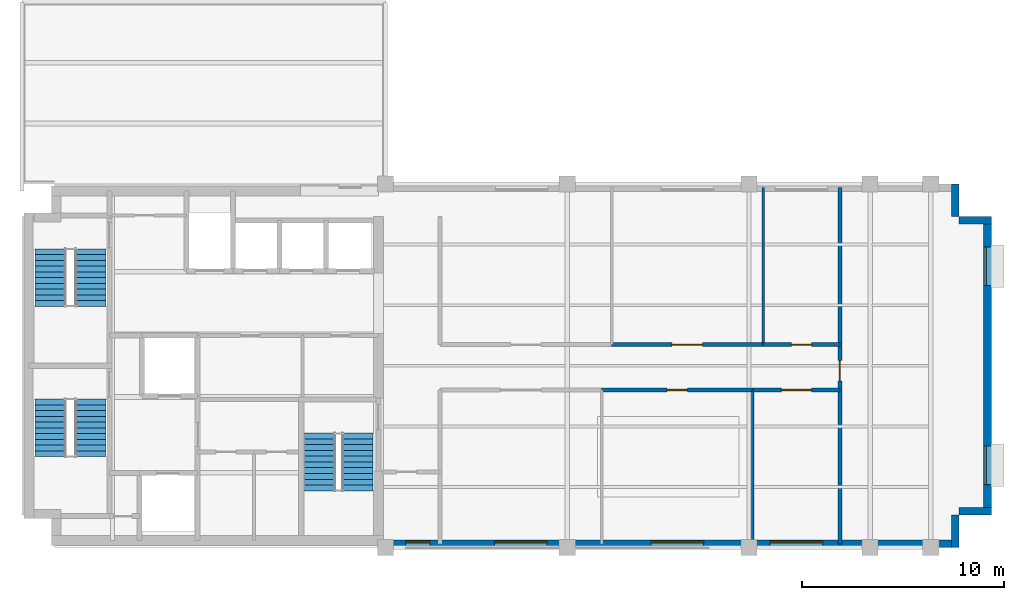
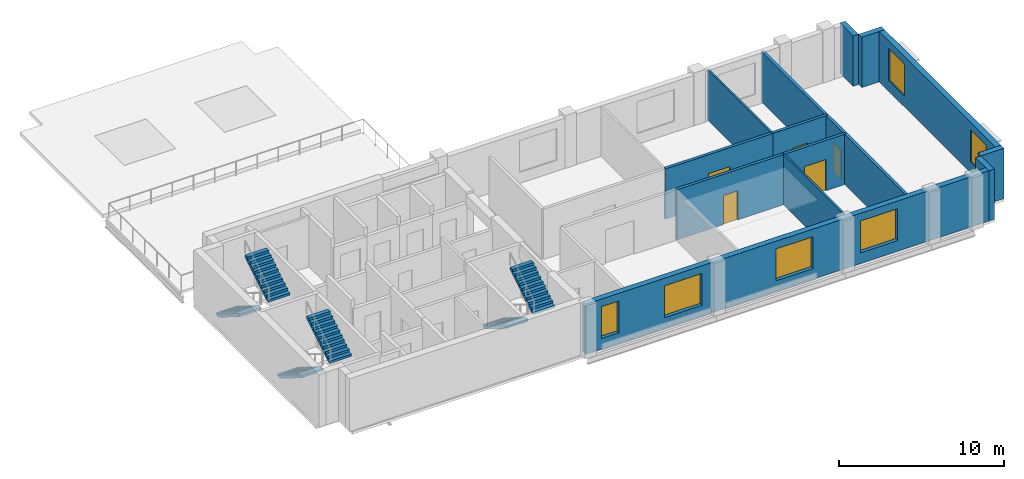
# One storey, part 4 of 5: 13 walls, 6 stair flights, 6 windows, 5 doors, 11 openings, 3 elements without a shape of their own.
"""IFC4 building model written with IfcOpenShell, lengths in metres."""

import ifcopenshell
import ifcopenshell.guid

model = None  # the IFC model being written
_history = None  # IfcOwnerHistory: only IFC2X3 demands one
_inside = {}  # id of a spatial element -> (the spatial element, [elements in it])
_under = {}  # id of a project, library or spatial element -> (it, [spatial elements below it])
_declared = {}  # id of a project -> (the project, [libraries it declares])
_typed = {}  # id of a type object -> (the type object, [elements of that type])
_made_of = {}  # id of a material, layer set ... -> (it, [elements and type objects made of it])


def new_model(schema):
    """Start an empty IFC model of exactly this schema.

    Asked for "IFC4X3", IfcOpenShell would pick the latest addendum, in which some entities
    have other attributes; the version numbers below select the first issue.
    IFC2X3 requires an IfcOwnerHistory on every rooted entity: one is made here for all.
    """
    global model, _history
    if schema == "IFC4X3":
        model = ifcopenshell.file(schema_version=(4, 3, 0, 0))
    else:
        model = ifcopenshell.file(schema=schema)
    _inside.clear()
    _under.clear()
    _declared.clear()
    _typed.clear()
    _made_of.clear()
    _history = None
    if model.schema == "IFC2X3":
        org = make("IfcOrganization", Name="unknown")
        user = make(
            "IfcPersonAndOrganization",
            ThePerson=make("IfcPerson", FamilyName="unknown"),
            TheOrganization=org,
        )
        app = make(
            "IfcApplication",
            ApplicationDeveloper=org,
            Version="unknown",
            ApplicationFullName="unknown",
            ApplicationIdentifier="unknown",
        )
        _history = make(
            "IfcOwnerHistory",
            OwningUser=user,
            OwningApplication=app,
            ChangeAction="ADDED",
            CreationDate=0,
        )
    return model


def make(cls, **values):
    """One entity of the class cls with the attributes given. An attribute that is None is left unset."""
    return model.create_entity(
        cls, **{name: value for name, value in values.items() if value is not None}
    )


def rooted(cls, **values):
    """An entity with a GlobalId (a new one), such as an element, a storey or a relation."""
    return make(cls, GlobalId=ifcopenshell.guid.new(), OwnerHistory=_history, **values)


def si_unit(unit_type, name, prefix=None):
    """IfcSIUnit, for example si_unit("LENGTHUNIT", "METRE", prefix="MILLI")."""
    return make("IfcSIUnit", UnitType=unit_type, Prefix=prefix, Name=name)


def assignment(units):
    """IfcUnitAssignment: the units of a project."""
    return None if units is None else make("IfcUnitAssignment", Units=units)


def point(xyz):
    """IfcCartesianPoint."""
    return None if xyz is None else make("IfcCartesianPoint", Coordinates=xyz)


def direction(xyz):
    """IfcDirection."""
    return None if xyz is None else make("IfcDirection", DirectionRatios=xyz)


def frame(location, z_axis=None, x_axis=None):
    """IfcAxis2Placement3D, a coordinate frame: its origin and axes. An axis left out is left unset."""
    return make(
        "IfcAxis2Placement3D",
        Location=point(location),
        Axis=direction(z_axis),
        RefDirection=direction(x_axis),
    )


def frame_2d(location, x_axis=None):
    """IfcAxis2Placement2D, a coordinate frame in the plane: its origin and x axis."""
    return make(
        "IfcAxis2Placement2D", Location=point(location), RefDirection=direction(x_axis)
    )


def origin():
    """The frame at (0, 0, 0) with its axes left unset."""
    return frame((0.0, 0.0, 0.0))


def place(relative_to, where):
    """IfcLocalPlacement: puts the frame where relative to a parent placement (None: the world)."""
    return make(
        "IfcLocalPlacement", PlacementRelTo=relative_to, RelativePlacement=where
    )


def context(
    kind, dimensions, precision=None, world=None, true_north=None, identifier=None
):
    """IfcGeometricRepresentationContext, for example the 3D "Model" context."""
    return make(
        "IfcGeometricRepresentationContext",
        ContextIdentifier=identifier,
        ContextType=kind,
        CoordinateSpaceDimension=dimensions,
        Precision=precision,
        WorldCoordinateSystem=world,
        TrueNorth=true_north,
    )


def subcontext(parent, identifier, kind, view, scale=None):
    """IfcGeometricRepresentationSubContext, for example "Body" below "Model"."""
    return make(
        "IfcGeometricRepresentationSubContext",
        ContextIdentifier=identifier,
        ContextType=kind,
        ParentContext=parent,
        TargetScale=scale,
        TargetView=view,
    )


def project(units=None, contexts=None):
    """IfcProject with its units and contexts."""
    return rooted(
        "IfcProject",
        Name="project",
        RepresentationContexts=contexts,
        UnitsInContext=assignment(units),
    )


def spatial(cls, under=None, at=None, **own):
    """A site, building, storey or space (cls), placed at a placement, below another one or the project."""
    s = rooted(cls, ObjectPlacement=at, **own)
    if under is not None:
        _under.setdefault(under.id(), (under, []))[1].append(s)
    return s


def polyline(points):
    """IfcPolyline through the points."""
    return make("IfcPolyline", Points=[point(p) for p in points])


def profile(cls, at=None, kind="AREA", **sizes):
    """A parametric profile (cls). Its sizes go by their IFC names, for example OverallWidth=200.0."""
    return make(cls, ProfileType=kind, Position=at, **sizes)


def rectangle(**sizes):
    """IfcRectangleProfileDef."""
    return profile("IfcRectangleProfileDef", **sizes)


def outline(outer, holes=None, kind="AREA"):
    """IfcArbitraryClosedProfileDef: a profile drawn as a closed curve; with holes, ...WithVoids."""
    if holes is None:
        return make("IfcArbitraryClosedProfileDef", ProfileType=kind, OuterCurve=outer)
    return make(
        "IfcArbitraryProfileDefWithVoids",
        ProfileType=kind,
        OuterCurve=outer,
        InnerCurves=holes,
    )


def extrude(swept, where, along, depth):
    """IfcExtrudedAreaSolid: the profile swept, set in the frame where, extruded along a direction by depth."""
    return make(
        "IfcExtrudedAreaSolid",
        SweptArea=swept,
        Position=where,
        ExtrudedDirection=direction(along),
        Depth=depth,
    )


def shape(context_of_items, identifier, shape_type, items):
    """IfcShapeRepresentation: the items that make up one representation, for example the "Body"."""
    return make(
        "IfcShapeRepresentation",
        ContextOfItems=context_of_items,
        RepresentationIdentifier=identifier,
        RepresentationType=shape_type,
        Items=items,
    )


def material(Name=None, Category=None):
    """IfcMaterial."""
    return make("IfcMaterial", Name=Name, Category=Category)


def layer(
    of_material, thickness, ventilated=None, Name=None, Category=None, Priority=None
):
    """IfcMaterialLayer: one layer of a wall or slab, of a material (None: an air gap)."""
    return make(
        "IfcMaterialLayer",
        Material=of_material,
        LayerThickness=thickness,
        IsVentilated=ventilated,
        Name=Name,
        Category=Category,
        Priority=Priority,
    )


def layer_set(layers, Name=None):
    """IfcMaterialLayerSet."""
    return make("IfcMaterialLayerSet", MaterialLayers=layers, LayerSetName=Name)


def made_of(thing, what):
    """Note that an element or type object is made of a material, layer set ...; save() writes the relation."""
    if what is not None:
        _made_of.setdefault(what.id(), (what, []))[1].append(thing)
    return thing


def type_object(cls, material=None, **own):
    """A type object (cls), such as IfcWallType, which elements share."""
    return made_of(rooted(cls, **own), material)


def element(
    cls,
    number,
    at=None,
    inside=None,
    cuts=None,
    type_object=None,
    material=None,
    context=None,
    identifier="Body",
    shape_type=None,
    held_by="IfcProductDefinitionShape",
    body=None,
    shapes=None,
    **own,
):
    """One element of the class cls, such as IfcWall. Its Tag is "e" and its number.

    at: its placement. inside: the storey or other place that contains it. cuts: it is an
    opening in that element (IfcRelVoidsElement). A single representation is given by context,
    identifier, shape_type and body (its items); several are given by shapes. held_by: the class
    of the entity that holds the representations. save() writes the other relations.
    """
    e = rooted(cls, Tag="e%d" % number, ObjectPlacement=at, **own)
    if body is not None:
        shapes = [shape(context, identifier, shape_type, body)]
    if shapes is not None:
        e.Representation = make(held_by, Representations=shapes)
    if inside is not None:
        _inside.setdefault(inside.id(), (inside, []))[1].append(e)
    if cuts is not None:
        rooted(
            "IfcRelVoidsElement", RelatingBuildingElement=cuts, RelatedOpeningElement=e
        )
    if type_object is not None:
        _typed.setdefault(type_object.id(), (type_object, []))[1].append(e)
    return made_of(e, material)


def fill(opening, filler):
    """IfcRelFillsElement: the door or window that sits in an opening."""
    return rooted(
        "IfcRelFillsElement",
        RelatingOpeningElement=opening,
        RelatedBuildingElement=filler,
    )


def aggregate(whole, parts):
    """IfcRelAggregates: a whole, such as a stair, and the parts it consists of."""
    return rooted("IfcRelAggregates", RelatingObject=whole, RelatedObjects=parts)


def save(model, path):
    """Write the relations noted so far, then the file.

    IfcRelAggregates (storeys below a building ...), IfcRelContainedInSpatialStructure (elements
    in a storey), IfcRelDefinesByType, IfcRelAssociatesMaterial and IfcRelDeclares: one each for
    every whole, place, type object, material and project.
    """
    for whole, parts in _under.values():
        aggregate(whole, parts)
    for where, things in _inside.values():
        rooted(
            "IfcRelContainedInSpatialStructure",
            RelatedElements=things,
            RelatingStructure=where,
        )
    for kind, things in _typed.values():
        rooted("IfcRelDefinesByType", RelatedObjects=things, RelatingType=kind)
    for what, things in _made_of.values():
        rooted("IfcRelAssociatesMaterial", RelatedObjects=things, RelatingMaterial=what)
    for by, libraries in _declared.values():
        rooted("IfcRelDeclares", RelatingContext=by, RelatedDefinitions=libraries)
    model.write(path)


model = new_model("IFC4")

# Units and contexts
model_context = context("Model", 3, precision=1e-05, world=origin(), true_north=direction((0.0, 1.0)))
body_context = subcontext(model_context, "Body", "Model", "MODEL_VIEW")
ifc_project = project(units=[si_unit("LENGTHUNIT", "METRE"), si_unit("AREAUNIT", "SQUARE_METRE"), si_unit("VOLUMEUNIT", "CUBIC_METRE"), si_unit("PLANEANGLEUNIT", "RADIAN"), si_unit("MASSUNIT", "GRAM", prefix="KILO")], contexts=[model_context])

# Site, building, storey
site_placement = place(None, origin())
site = spatial("IfcSite", under=ifc_project, at=site_placement, CompositionType="ELEMENT")
building_placement = place(site_placement, origin())
building = spatial("IfcBuilding", under=site, at=building_placement, Name="Mawjdan Bourse Tower", CompositionType="ELEMENT")
storey_placement = place(building_placement, frame((0.0, 0.0, 254.699951171875)))
storey = spatial("IfcBuildingStorey", under=building, at=storey_placement, Name="L62", CompositionType="ELEMENT", Elevation=254.699951171875)

# Wall, openings, windows
ifc_material_1 = material(Name="Brick Masonry Terracotta Red", Category="masonry")
ifc_layer_1 = layer(ifc_material_1, 0.3798828125)
ifc_layer_set_1 = layer_set([ifc_layer_1], Name="Brick Masonry Terracotta Red")
wall_type_1 = type_object("IfcWallType", Name="WL-BRK-RED-380", PredefinedType="STANDARD", material=ifc_layer_set_1)
wall_1_placement = place(storey_placement, frame((23.89990234375, 3.18994140625, 0.0), z_axis=(0.0, 0.0, 1.0), x_axis=(1.0, 0.0, 0.0)))
wall_1 = element("IfcWall", 1, at=wall_1_placement, inside=storey, type_object=wall_type_1, Name="L62 Exterior Brick Wall 1", PredefinedType="STANDARD", context=body_context, shape_type="SweptSolid", body=[
    extrude(rectangle(XDim=28.5, YDim=0.3798828125, at=frame_2d((14.25, 0.0))), origin(), (0.0, 0.0, 1.0), 3.715087890625),
])
opening_1_placement = place(wall_1_placement, frame((1.10009765625, 0.0, 0.800048828125)))
opening_1 = element("IfcOpeningElement", 2, at=opening_1_placement, cuts=wall_1, Name="Opening W-L62-03", PredefinedType="OPENING", context=body_context, shape_type="SweptSolid", body=[
    extrude(rectangle(XDim=1.199951171875, YDim=2.35009765625, at=frame_2d((0.60009765625, 1.175048828125))), frame((0.0, 0.199951171875, 0.0), z_axis=(0.0, -1.0, 0.0), x_axis=(1.0, 0.0, 0.0)), (0.0, 0.0, 1.0), 0.39990234375),
])
opening_2_placement = place(wall_1_placement, frame((5.50439453125, 0.0, 0.800048828125)))
opening_2 = element("IfcOpeningElement", 3, at=opening_2_placement, cuts=wall_1, Name="Opening W-L62-04", PredefinedType="OPENING", context=body_context, shape_type="SweptSolid", body=[
    extrude(rectangle(XDim=2.60009765625, YDim=2.35009765625, at=frame_2d((1.300048828125, 1.175048828125))), frame((0.0, 0.199951171875, 0.0), z_axis=(0.0, -1.0, 0.0), x_axis=(1.0, 0.0, 0.0)), (0.0, 0.0, 1.0), 0.39990234375),
])
opening_3_placement = place(wall_1_placement, frame((13.25439453125, 0.0, 0.800048828125)))
opening_3 = element("IfcOpeningElement", 4, at=opening_3_placement, cuts=wall_1, Name="Opening W-L62-05", PredefinedType="OPENING", context=body_context, shape_type="SweptSolid", body=[
    extrude(rectangle(XDim=2.60009765625, YDim=2.35009765625, at=frame_2d((1.300048828125, 1.175048828125))), frame((0.0, 0.199951171875, 0.0), z_axis=(0.0, -1.0, 0.0), x_axis=(1.0, 0.0, 0.0)), (0.0, 0.0, 1.0), 0.39990234375),
])
opening_4_placement = place(wall_1_placement, frame((19.154296875, 0.0, 0.800048828125)))
opening_4 = element("IfcOpeningElement", 5, at=opening_4_placement, cuts=wall_1, Name="Opening W-L62-06", PredefinedType="OPENING", context=body_context, shape_type="SweptSolid", body=[
    extrude(rectangle(XDim=2.60009765625, YDim=2.35009765625, at=frame_2d((1.300048828125, 1.175048828125))), frame((0.0, 0.199951171875, 0.0), z_axis=(0.0, -1.0, 0.0), x_axis=(1.0, 0.0, 0.0)), (0.0, 0.0, 1.0), 0.39990234375),
])
ifc_material_2 = material(Name="Solar-Control Clear Double Glazing", Category="glass")
window_type_1 = type_object("IfcWindowType", Name="WN-SMT-1200", PartitioningType="SINGLE_PANEL", PredefinedType="WINDOW", material=ifc_material_2)
window_1_placement = place(opening_1_placement, origin())
window_1 = element("IfcWindow", 6, at=window_1_placement, inside=storey, type_object=window_type_1, Name="L62 Deep-Set Masonry Window W-L62-03", OverallHeight=2.35009765625, OverallWidth=1.199951171875, PartitioningType="SINGLE_PANEL", PredefinedType="WINDOW", context=body_context, shape_type="SweptSolid", body=[
    extrude(rectangle(XDim=1.199951171875, YDim=2.35009765625, at=frame_2d((0.60009765625, 1.175048828125))), frame((0.0, 0.110107421875, 0.0), z_axis=(0.0, -1.0, 0.0), x_axis=(1.0, 0.0, 0.0)), (0.0, 0.0, 1.0), 0.06005859375),
])
fill(opening_1, window_1)
window_type_2 = type_object("IfcWindowType", Name="WN-SMT-2600", PartitioningType="SINGLE_PANEL", PredefinedType="WINDOW", material=ifc_material_2)
window_2_placement = place(opening_2_placement, origin())
window_2 = element("IfcWindow", 7, at=window_2_placement, inside=storey, type_object=window_type_2, Name="L62 Deep-Set Masonry Window W-L62-04", OverallHeight=2.35009765625, OverallWidth=2.60009765625, PartitioningType="SINGLE_PANEL", PredefinedType="WINDOW", context=body_context, shape_type="SweptSolid", body=[
    extrude(rectangle(XDim=2.60009765625, YDim=2.35009765625, at=frame_2d((1.300048828125, 1.175048828125))), frame((0.0, 0.110107421875, 0.0), z_axis=(0.0, -1.0, 0.0), x_axis=(1.0, 0.0, 0.0)), (0.0, 0.0, 1.0), 0.06005859375),
])
fill(opening_2, window_2)
window_3_placement = place(opening_3_placement, origin())
window_3 = element("IfcWindow", 8, at=window_3_placement, inside=storey, type_object=window_type_2, Name="L62 Deep-Set Masonry Window W-L62-05", OverallHeight=2.35009765625, OverallWidth=2.60009765625, PartitioningType="SINGLE_PANEL", PredefinedType="WINDOW", context=body_context, shape_type="SweptSolid", body=[
    extrude(rectangle(XDim=2.60009765625, YDim=2.35009765625, at=frame_2d((1.300048828125, 1.175048828125))), frame((0.0, 0.110107421875, 0.0), z_axis=(0.0, -1.0, 0.0), x_axis=(1.0, 0.0, 0.0)), (0.0, 0.0, 1.0), 0.06005859375),
])
fill(opening_3, window_3)
window_4_placement = place(opening_4_placement, origin())
window_4 = element("IfcWindow", 9, at=window_4_placement, inside=storey, type_object=window_type_2, Name="L62 Deep-Set Masonry Window W-L62-06", OverallHeight=2.35009765625, OverallWidth=2.60009765625, PartitioningType="SINGLE_PANEL", PredefinedType="WINDOW", context=body_context, shape_type="SweptSolid", body=[
    extrude(rectangle(XDim=2.60009765625, YDim=2.35009765625, at=frame_2d((1.300048828125, 1.175048828125))), frame((0.0, 0.110107421875, 0.0), z_axis=(0.0, -1.0, 0.0), x_axis=(1.0, 0.0, 0.0)), (0.0, 0.0, 1.0), 0.06005859375),
])
fill(opening_4, window_4)

# Walls
for number, where, z_axis, x_axis, name in (
    (10, (52.2099609375, 3.0, 0.0), (0.0, 0.0, 1.0), (0.0, 1.0, 0.0), "L62 Exterior Brick Wall 2"),
    (11, (52.39990234375, 4.7900390625, 0.0), (0.0, 0.0, 1.0), (1.0, 0.0, 0.0), "L62 Exterior Brick Wall 3"),
):
    element("IfcWall", number, at=place(storey_placement, frame(where, z_axis=z_axis, x_axis=x_axis)), inside=storey, type_object=wall_type_1, Name=name, PredefinedType="STANDARD", context=body_context, shape_type="SweptSolid", body=[
        extrude(rectangle(XDim=1.60009765625, YDim=0.3798828125, at=frame_2d((0.800048828125, 0.0))), origin(), (0.0, 0.0, 1.0), 3.715087890625),
    ])

# Wall, openings, windows
wall_2_placement = place(storey_placement, frame((53.81005859375, 4.60009765625, 0.0), z_axis=(0.0, 0.0, 1.0), x_axis=(0.0, 1.0, 0.0)))
wall_2 = element("IfcWall", 12, at=wall_2_placement, inside=storey, type_object=wall_type_1, Name="L62 Exterior Brick Wall 4", PredefinedType="STANDARD", context=body_context, shape_type="SweptSolid", body=[
    extrude(rectangle(XDim=14.7998046875, YDim=0.3798828125, at=frame_2d((7.39990234375, 0.0))), origin(), (0.0, 0.0, 1.0), 3.715087890625),
])
opening_5_placement = place(wall_2_placement, frame((1.5166015625, 0.0, 0.800048828125)))
opening_5 = element("IfcOpeningElement", 13, at=opening_5_placement, cuts=wall_2, Name="Opening W-L62-01", PredefinedType="OPENING", context=body_context, shape_type="SweptSolid", body=[
    extrude(rectangle(XDim=1.89990234375, YDim=2.35009765625, at=frame_2d((0.949951171875, 1.175048828125))), frame((0.0, 0.199951171875, 0.0), z_axis=(0.0, -1.0, 0.0), x_axis=(1.0, 0.0, 0.0)), (0.0, 0.0, 1.0), 0.39990234375),
])
opening_6_placement = place(wall_2_placement, frame((11.38330078125, 0.0, 0.800048828125)))
opening_6 = element("IfcOpeningElement", 14, at=opening_6_placement, cuts=wall_2, Name="Opening W-L62-02", PredefinedType="OPENING", context=body_context, shape_type="SweptSolid", body=[
    extrude(rectangle(XDim=1.89990234375, YDim=2.35009765625, at=frame_2d((0.949951171875, 1.175048828125))), frame((0.0, 0.199951171875, 0.0), z_axis=(0.0, -1.0, 0.0), x_axis=(1.0, 0.0, 0.0)), (0.0, 0.0, 1.0), 0.39990234375),
])
window_type_3 = type_object("IfcWindowType", Name="WN-SMT-1900", PartitioningType="SINGLE_PANEL", PredefinedType="WINDOW", material=ifc_material_2)
window_5_placement = place(opening_5_placement, origin())
window_5 = element("IfcWindow", 15, at=window_5_placement, inside=storey, type_object=window_type_3, Name="L62 Deep-Set Masonry Window W-L62-01", OverallHeight=2.35009765625, OverallWidth=1.89990234375, PartitioningType="SINGLE_PANEL", PredefinedType="WINDOW", context=body_context, shape_type="SweptSolid", body=[
    extrude(rectangle(XDim=1.89990234375, YDim=2.35009765625, at=frame_2d((0.949951171875, 1.175048828125))), frame((0.0, 0.110107421875, 0.0), z_axis=(0.0, -1.0, 0.0), x_axis=(1.0, 0.0, 0.0)), (0.0, 0.0, 1.0), 0.06005859375),
])
fill(opening_5, window_5)
window_6_placement = place(opening_6_placement, origin())
window_6 = element("IfcWindow", 16, at=window_6_placement, inside=storey, type_object=window_type_3, Name="L62 Deep-Set Masonry Window W-L62-02", OverallHeight=2.35009765625, OverallWidth=1.89990234375, PartitioningType="SINGLE_PANEL", PredefinedType="WINDOW", context=body_context, shape_type="SweptSolid", body=[
    extrude(rectangle(XDim=1.89990234375, YDim=2.35009765625, at=frame_2d((0.949951171875, 1.175048828125))), frame((0.0, 0.110107421875, 0.0), z_axis=(0.0, -1.0, 0.0), x_axis=(1.0, 0.0, 0.0)), (0.0, 0.0, 1.0), 0.06005859375),
])
fill(opening_6, window_6)

# Walls
for number, where, z_axis, x_axis, name in (
    (17, (54.0, 19.2099609375, 0.0), (0.0, 0.0, 1.0), (-1.0, 0.0, 0.0), "L62 Exterior Brick Wall 5"),
    (18, (52.2099609375, 19.39990234375, 0.0), (0.0, 0.0, 1.0), (0.0, 1.0, 0.0), "L62 Exterior Brick Wall 6"),
):
    element("IfcWall", number, at=place(storey_placement, frame(where, z_axis=z_axis, x_axis=x_axis)), inside=storey, type_object=wall_type_1, Name=name, PredefinedType="STANDARD", context=body_context, shape_type="SweptSolid", body=[
        extrude(rectangle(XDim=1.60009765625, YDim=0.3798828125, at=frame_2d((0.800048828125, 0.0))), origin(), (0.0, 0.0, 1.0), 3.715087890625),
    ])

# Wall, opening, door
ifc_material_3 = material(Name="Gypsum Fireboard Assembly")
ifc_layer_2 = layer(ifc_material_3, 0.199951171875)
ifc_layer_set_2 = layer_set([ifc_layer_2], Name="Gypsum Fireboard Assembly")
wall_type_2 = type_object("IfcWallType", Name="WL-CMP-200", PredefinedType="PARTITIONING", material=ifc_layer_set_2)
wall_3_placement = place(storey_placement, frame((34.699951171875, 10.800048828125, 0.0), z_axis=(0.0, 0.0, 1.0), x_axis=(1.0, 0.0, 0.0)))
wall_3 = element("IfcWall", 19, at=wall_3_placement, inside=storey, type_object=wall_type_2, Name="L62 Executive Office Corridor Wall", PredefinedType="PARTITIONING", context=body_context, shape_type="SweptSolid", body=[
    extrude(rectangle(XDim=7.5, YDim=0.199951171875, at=frame_2d((3.75, 0.0))), origin(), (0.0, 0.0, 1.0), 3.705078125),
])
opening_7_placement = place(wall_3_placement, frame((3.25, 0.0, 0.0)))
opening_7 = element("IfcOpeningElement", 20, at=opening_7_placement, cuts=wall_3, Name="Opening D-L62-20", PredefinedType="OPENING", context=body_context, shape_type="SweptSolid", body=[
    extrude(rectangle(XDim=1.0, YDim=2.14990234375, at=frame_2d((0.5, 1.074951171875))), frame((0.0, 0.10986328125, 0.0), z_axis=(0.0, -1.0, 0.0), x_axis=(1.0, 0.0, 0.0)), (0.0, 0.0, 1.0), 0.219970703125),
])
ifc_material_4 = material(Name="Hardwood Acoustic Leaf", Category="wood")
door_type_1 = type_object("IfcDoorType", Name="DR-OFC-1000", OperationType="NOTDEFINED", PredefinedType="DOOR", material=ifc_material_4)
door_1_placement = place(opening_7_placement, origin())
door_1 = element("IfcDoor", 21, at=door_1_placement, inside=storey, type_object=door_type_1, Name="L62 Executive Office Door D-L62-20", OperationType="SINGLE_SWING_LEFT", OverallHeight=2.14990234375, OverallWidth=1.0, PredefinedType="DOOR", context=body_context, shape_type="SweptSolid", body=[
    extrude(rectangle(XDim=1.0, YDim=2.14990234375, at=frame_2d((0.5, 1.074951171875))), frame((0.0, 0.02490234375, 0.0), z_axis=(0.0, -1.0, 0.0), x_axis=(1.0, 0.0, 0.0)), (0.0, 0.0, 1.0), 0.050048828125),
])
fill(opening_7, door_1)

wall_4_placement = place(storey_placement, frame((42.199951171875, 10.800048828125, 0.0), z_axis=(0.0, 0.0, 1.0), x_axis=(1.0, 0.0, 0.0)))
wall_4 = element("IfcWall", 22, at=wall_4_placement, inside=storey, type_object=wall_type_2, Name="L62 Conference Room Corridor Wall", PredefinedType="PARTITIONING", context=body_context, shape_type="SweptSolid", body=[
    extrude(rectangle(XDim=4.300048828125, YDim=0.199951171875, at=frame_2d((2.14990234375, 0.0))), origin(), (0.0, 0.0, 1.0), 3.705078125),
])
opening_8_placement = place(wall_4_placement, frame((1.39990234375, 0.0, 0.0)))
opening_8 = element("IfcOpeningElement", 23, at=opening_8_placement, cuts=wall_4, Name="Opening D-L62-21", PredefinedType="OPENING", context=body_context, shape_type="SweptSolid", body=[
    extrude(rectangle(XDim=1.5, YDim=2.300048828125, at=frame_2d((0.75, 1.14990234375))), frame((0.0, 0.10986328125, 0.0), z_axis=(0.0, -1.0, 0.0), x_axis=(1.0, 0.0, 0.0)), (0.0, 0.0, 1.0), 0.219970703125),
])
ifc_material_5 = material(Name="Acoustic Glazed Timber", Category="wood")
door_type_2 = type_object("IfcDoorType", Name="DR-CNF-1500", OperationType="DOUBLE_DOOR_SINGLE_SWING", PredefinedType="DOOR", material=ifc_material_5)
door_2_placement = place(opening_8_placement, origin())
door_2 = element("IfcDoor", 24, at=door_2_placement, inside=storey, type_object=door_type_2, Name="L62 Conference Room Door D-L62-21", OperationType="DOUBLE_DOOR_SINGLE_SWING", OverallHeight=2.300048828125, OverallWidth=1.5, PredefinedType="DOOR", context=body_context, shape_type="SweptSolid", body=[
    extrude(rectangle(XDim=1.5, YDim=2.300048828125, at=frame_2d((0.75, 1.14990234375))), frame((0.0, 0.02490234375, 0.0), z_axis=(0.0, -1.0, 0.0), x_axis=(1.0, 0.0, 0.0)), (0.0, 0.0, 1.0), 0.050048828125),
])
fill(opening_8, door_2)

wall_5_placement = place(storey_placement, frame((35.199951171875, 13.050048828125, 0.0), z_axis=(0.0, 0.0, 1.0), x_axis=(1.0, 0.0, 0.0)))
wall_5 = element("IfcWall", 25, at=wall_5_placement, inside=storey, type_object=wall_type_2, Name="L62 Board Dining Room Corridor Wall", PredefinedType="PARTITIONING", context=body_context, shape_type="SweptSolid", body=[
    extrude(rectangle(XDim=7.5, YDim=0.199951171875, at=frame_2d((3.75, 0.0))), origin(), (0.0, 0.0, 1.0), 3.705078125),
])
opening_9_placement = place(wall_5_placement, frame((3.0, 0.0, 0.0)))
opening_9 = element("IfcOpeningElement", 26, at=opening_9_placement, cuts=wall_5, Name="Opening D-L62-23", PredefinedType="OPENING", context=body_context, shape_type="SweptSolid", body=[
    extrude(rectangle(XDim=1.5, YDim=2.300048828125, at=frame_2d((0.75, 1.14990234375))), frame((0.0, 0.10986328125, 0.0), z_axis=(0.0, -1.0, 0.0), x_axis=(1.0, 0.0, 0.0)), (0.0, 0.0, 1.0), 0.219970703125),
])
door_3_placement = place(opening_9_placement, origin())
door_3 = element("IfcDoor", 27, at=door_3_placement, inside=storey, type_object=door_type_2, Name="L62 Board Dining Room Door D-L62-23", OperationType="DOUBLE_DOOR_SINGLE_SWING", OverallHeight=2.300048828125, OverallWidth=1.5, PredefinedType="DOOR", context=body_context, shape_type="SweptSolid", body=[
    extrude(rectangle(XDim=1.5, YDim=2.300048828125, at=frame_2d((0.75, 1.14990234375))), frame((0.0, 0.02490234375, 0.0), z_axis=(0.0, -1.0, 0.0), x_axis=(1.0, 0.0, 0.0)), (0.0, 0.0, 1.0), 0.050048828125),
])
fill(opening_9, door_3)

wall_6_placement = place(storey_placement, frame((42.699951171875, 13.050048828125, 0.0), z_axis=(0.0, 0.0, 1.0), x_axis=(1.0, 0.0, 0.0)))
wall_6 = element("IfcWall", 28, at=wall_6_placement, inside=storey, type_object=wall_type_2, Name="L62 Protocol Archive Corridor Wall", PredefinedType="PARTITIONING", context=body_context, shape_type="SweptSolid", body=[
    extrude(rectangle(XDim=3.800048828125, YDim=0.199951171875, at=frame_2d((1.89990234375, 0.0))), origin(), (0.0, 0.0, 1.0), 3.705078125),
])
opening_10_placement = place(wall_6_placement, frame((1.39990234375, 0.0, 0.0)))
opening_10 = element("IfcOpeningElement", 29, at=opening_10_placement, cuts=wall_6, Name="Opening D-L62-24", PredefinedType="OPENING", context=body_context, shape_type="SweptSolid", body=[
    extrude(rectangle(XDim=1.0, YDim=2.14990234375, at=frame_2d((0.5, 1.074951171875))), frame((0.0, 0.10986328125, 0.0), z_axis=(0.0, -1.0, 0.0), x_axis=(1.0, 0.0, 0.0)), (0.0, 0.0, 1.0), 0.219970703125),
])
door_4_placement = place(opening_10_placement, origin())
door_4 = element("IfcDoor", 30, at=door_4_placement, inside=storey, type_object=door_type_1, Name="L62 Protocol Archive Door D-L62-24", OperationType="SINGLE_SWING_RIGHT", OverallHeight=2.14990234375, OverallWidth=1.0, PredefinedType="DOOR", context=body_context, shape_type="SweptSolid", body=[
    extrude(rectangle(XDim=1.0, YDim=2.14990234375, at=frame_2d((0.5, 1.074951171875))), frame((0.0, 0.02490234375, 0.0), z_axis=(0.0, -1.0, 0.0), x_axis=(1.0, 0.0, 0.0)), (0.0, 0.0, 1.0), 0.050048828125),
])
fill(opening_10, door_4)

wall_7_placement = place(storey_placement, frame((46.5, 3.179931640625, 0.0), z_axis=(0.0, 0.0, 1.0), x_axis=(0.0, 1.0, 0.0)))
wall_7 = element("IfcWall", 31, at=wall_7_placement, inside=storey, type_object=wall_type_2, Name="L62 East Tip Full Cross Wall", PredefinedType="PARTITIONING", context=body_context, shape_type="SweptSolid", body=[
    extrude(rectangle(XDim=17.64013671875, YDim=0.199951171875, at=frame_2d((8.820068359375, 0.0))), origin(), (0.0, 0.0, 1.0), 3.705078125),
])
opening_11_placement = place(wall_7_placement, frame((8.074951171875, 0.0, 0.0)))
opening_11 = element("IfcOpeningElement", 32, at=opening_11_placement, cuts=wall_7, Name="Opening D-L62-25", PredefinedType="OPENING", context=body_context, shape_type="SweptSolid", body=[
    extrude(rectangle(XDim=1.0, YDim=2.14990234375, at=frame_2d((0.5, 1.074951171875))), frame((0.0, 0.10986328125, 0.0), z_axis=(0.0, -1.0, 0.0), x_axis=(1.0, 0.0, 0.0)), (0.0, 0.0, 1.0), 0.219970703125),
])
door_5_placement = place(opening_11_placement, origin())
door_5 = element("IfcDoor", 33, at=door_5_placement, inside=storey, type_object=door_type_1, Name="L62 East Tip Hall Door D-L62-25", OperationType="SINGLE_SWING_LEFT", OverallHeight=2.14990234375, OverallWidth=1.0, PredefinedType="DOOR", context=body_context, shape_type="SweptSolid", body=[
    extrude(rectangle(XDim=1.0, YDim=2.14990234375, at=frame_2d((0.5, 1.074951171875))), frame((0.0, 0.02490234375, 0.0), z_axis=(0.0, -1.0, 0.0), x_axis=(1.0, 0.0, 0.0)), (0.0, 0.0, 1.0), 0.050048828125),
])
fill(opening_11, door_5)

# Walls
ifc_material_6 = material(Name="Gypsum Partition")
ifc_layer_3 = layer(ifc_material_6, 0.125)
ifc_layer_set_3 = layer_set([ifc_layer_3], Name="Gypsum Partition")
wall_type_3 = type_object("IfcWallType", Name="WL-PRT-125", PredefinedType="PARTITIONING", material=ifc_layer_set_3)
wall_8_placement = place(storey_placement, frame((42.199951171875, 3.179931640625, 0.0), z_axis=(0.0, 0.0, 1.0), x_axis=(0.0, 1.0, 0.0)))
element("IfcWall", 34, at=wall_8_placement, inside=storey, type_object=wall_type_3, Name="L62 Conference Room Partition", PredefinedType="PARTITIONING", context=body_context, shape_type="SweptSolid", body=[
    extrude(rectangle(XDim=7.6201171875, YDim=0.125, at=frame_2d((3.81005859375, 0.0))), origin(), (0.0, 0.0, 1.0), 3.705078125),
])
wall_9_placement = place(storey_placement, frame((42.699951171875, 13.050048828125, 0.0), z_axis=(0.0, 0.0, 1.0), x_axis=(0.0, 1.0, 0.0)))
element("IfcWall", 35, at=wall_9_placement, inside=storey, type_object=wall_type_3, Name="L62 Protocol Archive Partition", PredefinedType="PARTITIONING", context=body_context, shape_type="SweptSolid", body=[
    extrude(rectangle(XDim=7.77001953125, YDim=0.125, at=frame_2d((3.885009765625, 0.0))), origin(), (0.0, 0.0, 1.0), 3.705078125),
])

# Stair, stair flights
ifc_material_7 = material(Name="Concrete C50/60", Category="concrete")
stair_type = type_object("IfcStairType", Name="STR-CORE-1500", PredefinedType="HALF_TURN_STAIR", material=ifc_material_7)
stair_1_placement = place(storey_placement, origin())
stair_1 = element("IfcStair", 36, at=stair_1_placement, inside=storey, type_object=stair_type, Name="L62 Exit Stair 1 (Core South-West)", PredefinedType="HALF_TURN_STAIR")
stair_flight_type = type_object("IfcStairFlightType", Name="SFL-RC-1500", PredefinedType="STRAIGHT", material=ifc_material_7)
stair_flight_1_placement = place(storey_placement, frame((7.389892578125, 10.35009765625, 0.0), z_axis=(0.0, 0.0, 1.0), x_axis=(0.0, -1.0, 0.0)))
stair_flight_1 = element("IfcStairFlight", 37, at=stair_flight_1_placement, type_object=stair_flight_type, Name="ST1-L62 flight 1", NumberOfRisers=11, NumberOfTreads=10, PredefinedType="STRAIGHT", RiserHeight=0.177273, TreadLength=0.285, context=body_context, shape_type="SweptSolid", body=[
    extrude(outline(polyline([(0.0, 0.0), (0.0, 0.17724609375), (0.284912109375, 0.17724609375), (0.284912109375, 0.3544921875), (0.570068359375, 0.3544921875), (0.570068359375, 0.53173828125), (0.85498046875, 0.53173828125), (0.85498046875, 0.708984375), (1.139892578125, 0.708984375), (1.139892578125, 0.886474609375), (1.425048828125, 0.886474609375), (1.425048828125, 1.063720703125), (1.7099609375, 1.063720703125), (1.7099609375, 1.240966796875), (1.9951171875, 1.240966796875), (1.9951171875, 1.418212890625), (2.280029296875, 1.418212890625), (2.280029296875, 1.595458984375), (2.56494140625, 1.595458984375), (2.56494140625, 1.772705078125), (2.85009765625, 1.772705078125), (2.85009765625, 1.949951171875), (2.85009765625, 1.58447265625), (0.302734375, 0.0), (0.0, 0.0)])), frame((0.0, 0.75, 0.0), z_axis=(0.0, -1.0, 0.0), x_axis=(1.0, 0.0, 0.0)), (0.0, 0.0, 1.0), 1.5),
])
stair_flight_2_placement = place(storey_placement, frame((9.409912109375, 7.5, 1.949951171875), z_axis=(0.0, 0.0, 1.0), x_axis=(0.0, 1.0, 0.0)))
stair_flight_2 = element("IfcStairFlight", 38, at=stair_flight_2_placement, type_object=stair_flight_type, Name="ST1-L62 flight 2", NumberOfRisers=11, NumberOfTreads=10, PredefinedType="STRAIGHT", RiserHeight=0.177273, TreadLength=0.285, context=body_context, shape_type="SweptSolid", body=[
    extrude(outline(polyline([(0.0, 0.0), (0.0, 0.17724609375), (0.284912109375, 0.17724609375), (0.284912109375, 0.3544921875), (0.570068359375, 0.3544921875), (0.570068359375, 0.53173828125), (0.85498046875, 0.53173828125), (0.85498046875, 0.708984375), (1.139892578125, 0.708984375), (1.139892578125, 0.886474609375), (1.425048828125, 0.886474609375), (1.425048828125, 1.063720703125), (1.7099609375, 1.063720703125), (1.7099609375, 1.240966796875), (1.9951171875, 1.240966796875), (1.9951171875, 1.418212890625), (2.280029296875, 1.418212890625), (2.280029296875, 1.595458984375), (2.56494140625, 1.595458984375), (2.56494140625, 1.772705078125), (2.85009765625, 1.772705078125), (2.85009765625, 1.949951171875), (2.85009765625, 1.58447265625), (0.302734375, 0.0), (0.0, 0.0)])), frame((0.0, 0.75, 0.0), z_axis=(0.0, -1.0, 0.0), x_axis=(1.0, 0.0, 0.0)), (0.0, 0.0, 1.0), 1.5),
])
aggregate(stair_1, [stair_flight_1, stair_flight_2])

stair_2_placement = place(storey_placement, origin())
stair_2 = element("IfcStair", 39, at=stair_2_placement, inside=storey, type_object=stair_type, Name="L62 Exit Stair 2 (Core North-West)", PredefinedType="HALF_TURN_STAIR")
stair_flight_3_placement = place(storey_placement, frame((7.389892578125, 17.7900390625, 0.0), z_axis=(0.0, 0.0, 1.0), x_axis=(0.0, -1.0, 0.0)))
stair_flight_3 = element("IfcStairFlight", 40, at=stair_flight_3_placement, type_object=stair_flight_type, Name="ST2-L62 flight 1", NumberOfRisers=11, NumberOfTreads=10, PredefinedType="STRAIGHT", RiserHeight=0.177273, TreadLength=0.285, context=body_context, shape_type="SweptSolid", body=[
    extrude(outline(polyline([(0.0, 0.0), (0.0, 0.17724609375), (0.284912109375, 0.17724609375), (0.284912109375, 0.3544921875), (0.570068359375, 0.3544921875), (0.570068359375, 0.53173828125), (0.85498046875, 0.53173828125), (0.85498046875, 0.708984375), (1.139892578125, 0.708984375), (1.139892578125, 0.886474609375), (1.425048828125, 0.886474609375), (1.425048828125, 1.063720703125), (1.7099609375, 1.063720703125), (1.7099609375, 1.240966796875), (1.9951171875, 1.240966796875), (1.9951171875, 1.418212890625), (2.280029296875, 1.418212890625), (2.280029296875, 1.595458984375), (2.56494140625, 1.595458984375), (2.56494140625, 1.772705078125), (2.85009765625, 1.772705078125), (2.85009765625, 1.949951171875), (2.85009765625, 1.58447265625), (0.302734375, 0.0), (0.0, 0.0)])), frame((0.0, 0.75, 0.0), z_axis=(0.0, -1.0, 0.0), x_axis=(1.0, 0.0, 0.0)), (0.0, 0.0, 1.0), 1.5),
])
stair_flight_4_placement = place(storey_placement, frame((9.409912109375, 14.93994140625, 1.949951171875), z_axis=(0.0, 0.0, 1.0), x_axis=(0.0, 1.0, 0.0)))
stair_flight_4 = element("IfcStairFlight", 41, at=stair_flight_4_placement, type_object=stair_flight_type, Name="ST2-L62 flight 2", NumberOfRisers=11, NumberOfTreads=10, PredefinedType="STRAIGHT", RiserHeight=0.177273, TreadLength=0.285, context=body_context, shape_type="SweptSolid", body=[
    extrude(outline(polyline([(0.0, 0.0), (0.0, 0.17724609375), (0.284912109375, 0.17724609375), (0.284912109375, 0.3544921875), (0.570068359375, 0.3544921875), (0.570068359375, 0.53173828125), (0.85498046875, 0.53173828125), (0.85498046875, 0.708984375), (1.139892578125, 0.708984375), (1.139892578125, 0.886474609375), (1.425048828125, 0.886474609375), (1.425048828125, 1.063720703125), (1.7099609375, 1.063720703125), (1.7099609375, 1.240966796875), (1.9951171875, 1.240966796875), (1.9951171875, 1.418212890625), (2.280029296875, 1.418212890625), (2.280029296875, 1.595458984375), (2.56494140625, 1.595458984375), (2.56494140625, 1.772705078125), (2.85009765625, 1.772705078125), (2.85009765625, 1.949951171875), (2.85009765625, 1.58447265625), (0.302734375, 0.0), (0.0, 0.0)])), frame((0.0, 0.75, 0.0), z_axis=(0.0, -1.0, 0.0), x_axis=(1.0, 0.0, 0.0)), (0.0, 0.0, 1.0), 1.5),
])
aggregate(stair_2, [stair_flight_3, stair_flight_4])

stair_3_placement = place(storey_placement, origin())
stair_3 = element("IfcStair", 42, at=stair_3_placement, inside=storey, type_object=stair_type, Name="L62 Exit Stair 7 (Core South-East)", PredefinedType="HALF_TURN_STAIR")
stair_flight_5_placement = place(storey_placement, frame((20.739990234375, 8.659912109375, 0.0), z_axis=(0.0, 0.0, 1.0), x_axis=(0.0, -1.0, 0.0)))
stair_flight_5 = element("IfcStairFlight", 43, at=stair_flight_5_placement, type_object=stair_flight_type, Name="ST7-L62 flight 1", NumberOfRisers=11, NumberOfTreads=10, PredefinedType="STRAIGHT", RiserHeight=0.177273, TreadLength=0.285, context=body_context, shape_type="SweptSolid", body=[
    extrude(outline(polyline([(0.0, 0.0), (0.0, 0.17724609375), (0.284912109375, 0.17724609375), (0.284912109375, 0.3544921875), (0.570068359375, 0.3544921875), (0.570068359375, 0.53173828125), (0.85498046875, 0.53173828125), (0.85498046875, 0.708984375), (1.139892578125, 0.708984375), (1.139892578125, 0.886474609375), (1.425048828125, 0.886474609375), (1.425048828125, 1.063720703125), (1.7099609375, 1.063720703125), (1.7099609375, 1.240966796875), (1.9951171875, 1.240966796875), (1.9951171875, 1.418212890625), (2.280029296875, 1.418212890625), (2.280029296875, 1.595458984375), (2.56494140625, 1.595458984375), (2.56494140625, 1.772705078125), (2.85009765625, 1.772705078125), (2.85009765625, 1.949951171875), (2.85009765625, 1.58447265625), (0.302734375, 0.0), (0.0, 0.0)])), frame((0.0, 0.75, 0.0), z_axis=(0.0, -1.0, 0.0), x_axis=(1.0, 0.0, 0.0)), (0.0, 0.0, 1.0), 1.5),
])
stair_flight_6_placement = place(storey_placement, frame((22.6298828125, 5.81005859375, 1.949951171875), z_axis=(0.0, 0.0, 1.0), x_axis=(0.0, 1.0, 0.0)))
stair_flight_6 = element("IfcStairFlight", 44, at=stair_flight_6_placement, type_object=stair_flight_type, Name="ST7-L62 flight 2", NumberOfRisers=11, NumberOfTreads=10, PredefinedType="STRAIGHT", RiserHeight=0.177273, TreadLength=0.285, context=body_context, shape_type="SweptSolid", body=[
    extrude(outline(polyline([(0.0, 0.0), (0.0, 0.17724609375), (0.284912109375, 0.17724609375), (0.284912109375, 0.3544921875), (0.570068359375, 0.3544921875), (0.570068359375, 0.53173828125), (0.85498046875, 0.53173828125), (0.85498046875, 0.708984375), (1.139892578125, 0.708984375), (1.139892578125, 0.886474609375), (1.425048828125, 0.886474609375), (1.425048828125, 1.063720703125), (1.7099609375, 1.063720703125), (1.7099609375, 1.240966796875), (1.9951171875, 1.240966796875), (1.9951171875, 1.418212890625), (2.280029296875, 1.418212890625), (2.280029296875, 1.595458984375), (2.56494140625, 1.595458984375), (2.56494140625, 1.772705078125), (2.85009765625, 1.772705078125), (2.85009765625, 1.949951171875), (2.85009765625, 1.58447265625), (0.302734375, 0.0), (0.0, 0.0)])), frame((0.0, 0.75, 0.0), z_axis=(0.0, -1.0, 0.0), x_axis=(1.0, 0.0, 0.0)), (0.0, 0.0, 1.0), 1.5),
])
aggregate(stair_3, [stair_flight_5, stair_flight_6])

save(model, "model.ifc")
